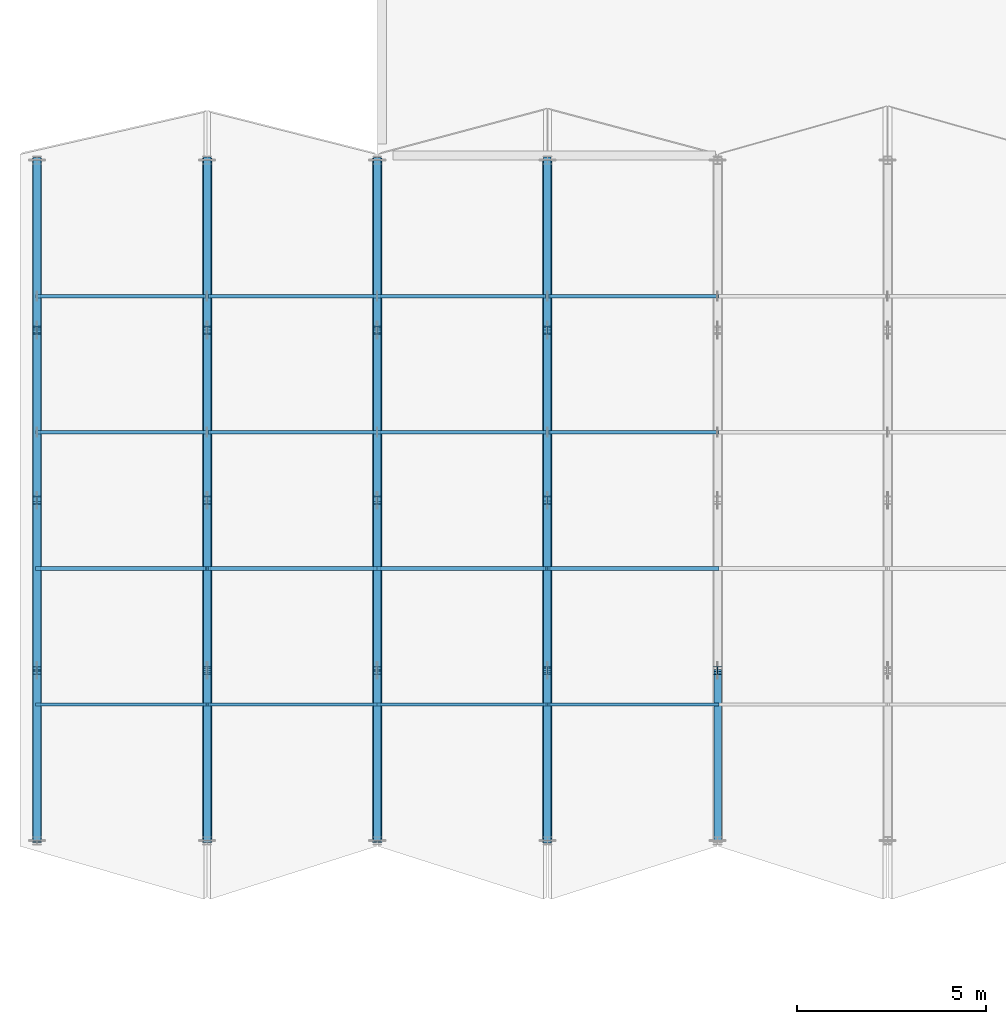
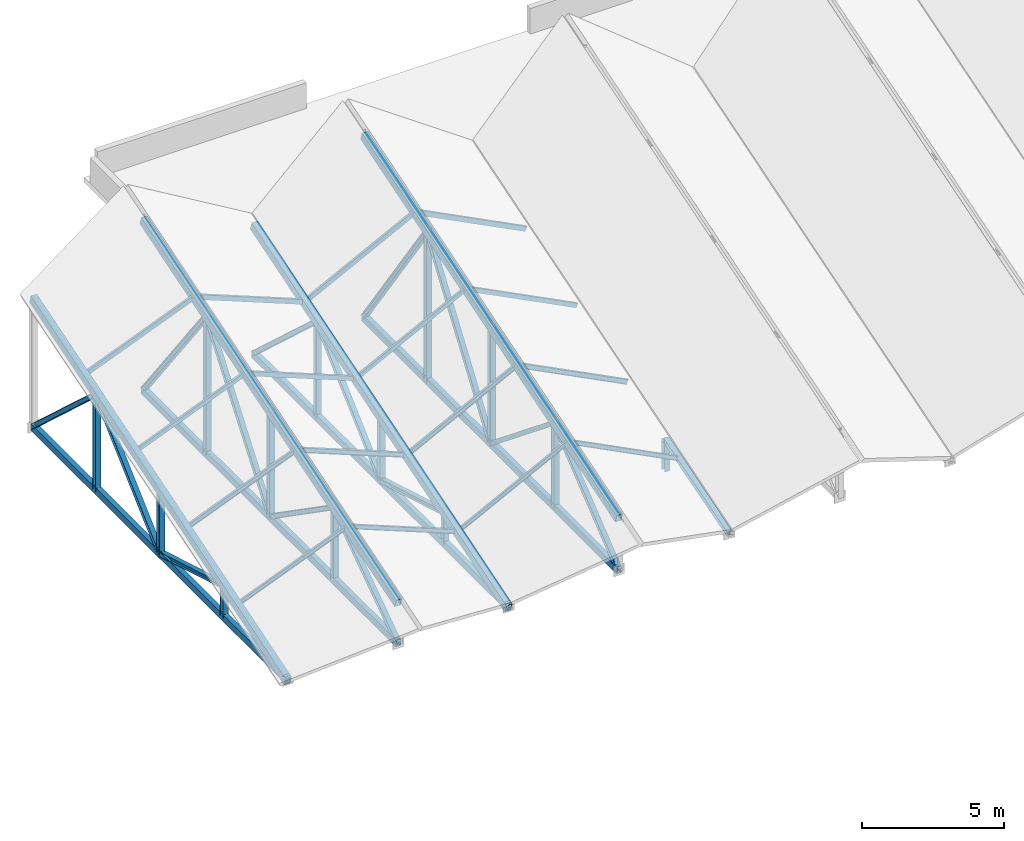
# One storey, part 62 of 142: 54 members.
"""IFC4 building model written with IfcOpenShell, lengths in metres."""

from ifc_helpers import new_model, si_unit, direction, frame, origin, origin_2d, place, context, subcontext, project, spatial, hollow_rectangle, i_section, extrude, material, material_profile, profile_set, type_object, element, save


model = new_model("IFC4")

# Units and contexts
model_context = context("Model", 3, precision=1e-05, world=origin(), true_north=direction((0.0, 1.0)))
body_context = subcontext(model_context, "Body", "Model", "MODEL_VIEW")
ifc_project = project(units=[si_unit("LENGTHUNIT", "METRE"), si_unit("AREAUNIT", "SQUARE_METRE"), si_unit("VOLUMEUNIT", "CUBIC_METRE"), si_unit("PLANEANGLEUNIT", "RADIAN"), si_unit("MASSUNIT", "GRAM", prefix="KILO")], contexts=[model_context])

# Site, building, storey
site_placement = place(None, origin())
site = spatial("IfcSite", under=ifc_project, at=site_placement, CompositionType="ELEMENT")
building_placement = place(site_placement, origin())
building = spatial("IfcBuilding", under=site, at=building_placement, Name="Montelvaro Courts of Justice", CompositionType="ELEMENT")
storey_placement = place(building_placement, frame((0.0, 0.0, 14.39990234375)))
storey = spatial("IfcBuildingStorey", under=building, at=storey_placement, Name="L03", CompositionType="ELEMENT", Elevation=14.39990234375)

# Members
ifc_material = material(Name="Steel S355", Category="steel")
ifc_material_profile_1 = material_profile(ifc_material, i_section(OverallWidth=0.199951171875, OverallDepth=0.18994140625, WebThickness=0.006591796875, FlangeThickness=0.010009765625, at=origin_2d()), Name="HEA 200")
ifc_profile_set_1 = profile_set([ifc_material_profile_1], Name="Steel S355")
member_type_1 = type_object("IfcMemberType", Name="Mem_HEA200_Brace", PredefinedType="BRACE", material=ifc_profile_set_1)
for number, where, z_axis, x_axis, name in (
    (1, (18.0, 78.0, -0.2998046875), (0.0, 0.959000997748, 0.283402692857), (-1.0, 0.0, 0.0), "Roof Truss Web MB-02 ROOF-V1-VTR01-W1"),
    (2, (18.0, 82.5, 1.030029296875), (0.0, 0.959000997748, -0.283402692857), (-1.0, 0.0, 0.0), "Roof Truss Web MB-02 ROOF-V1-VTR01-W2"),
):
    element("IfcMember", number, at=place(storey_placement, frame(where, z_axis=z_axis, x_axis=x_axis)), inside=storey, type_object=member_type_1, Name=name, PredefinedType="BRACE", context=body_context, shape_type="SweptSolid", body=[
        extrude(i_section(OverallWidth=0.199951171875, OverallDepth=0.18994140625, WebThickness=0.006591796875, FlangeThickness=0.010009765625, at=origin_2d()), origin(), (0.0, 0.0, 1.0), 4.6923828125),
    ])
for number, where, z_axis, x_axis, name in (
    (3, (18.0, 87.0, -0.2998046875), (0.0, 0.736755804956, 0.676158919089), (-1.0, 0.0, 0.0), "Roof Truss Web MB-02 ROOF-V1-VTR01-W3"),
    (4, (18.0, 91.5, 3.830078125), (0.0, 0.736755804956, -0.676158919089), (-1.0, 0.0, 0.0), "Roof Truss Web MB-02 ROOF-V1-VTR01-W4"),
):
    element("IfcMember", number, at=place(storey_placement, frame(where, z_axis=z_axis, x_axis=x_axis)), inside=storey, type_object=member_type_1, Name=name, PredefinedType="BRACE", context=body_context, shape_type="SweptSolid", body=[
        extrude(i_section(OverallWidth=0.199951171875, OverallDepth=0.18994140625, WebThickness=0.006591796875, FlangeThickness=0.010009765625, at=origin_2d()), origin(), (0.0, 0.0, 1.0), 6.10791015625),
    ])
for number, where, z_axis, x_axis, name in (
    (5, (27.0, 78.0, -0.2998046875), (0.0, 0.959000997748, 0.283402692857), (-1.0, 0.0, 0.0), "Roof Truss Web MB-02 ROOF-V1-VTR02-W1"),
    (6, (27.0, 82.5, 1.030029296875), (0.0, 0.959000997748, -0.283402692857), (-1.0, 0.0, 0.0), "Roof Truss Web MB-02 ROOF-V1-VTR02-W2"),
):
    element("IfcMember", number, at=place(storey_placement, frame(where, z_axis=z_axis, x_axis=x_axis)), inside=storey, type_object=member_type_1, Name=name, PredefinedType="BRACE", context=body_context, shape_type="SweptSolid", body=[
        extrude(i_section(OverallWidth=0.199951171875, OverallDepth=0.18994140625, WebThickness=0.006591796875, FlangeThickness=0.010009765625, at=origin_2d()), origin(), (0.0, 0.0, 1.0), 4.6923828125),
    ])
for number, where, z_axis, x_axis, name in (
    (7, (27.0, 87.0, -0.2998046875), (0.0, 0.736755804956, 0.676158919089), (-1.0, 0.0, 0.0), "Roof Truss Web MB-02 ROOF-V1-VTR02-W3"),
    (8, (27.0, 91.5, 3.830078125), (0.0, 0.736755804956, -0.676158919089), (-1.0, 0.0, 0.0), "Roof Truss Web MB-02 ROOF-V1-VTR02-W4"),
):
    element("IfcMember", number, at=place(storey_placement, frame(where, z_axis=z_axis, x_axis=x_axis)), inside=storey, type_object=member_type_1, Name=name, PredefinedType="BRACE", context=body_context, shape_type="SweptSolid", body=[
        extrude(i_section(OverallWidth=0.199951171875, OverallDepth=0.18994140625, WebThickness=0.006591796875, FlangeThickness=0.010009765625, at=origin_2d()), origin(), (0.0, 0.0, 1.0), 6.10791015625),
    ])
member_1_placement = place(storey_placement, frame((36.0, 78.0, -0.2998046875), z_axis=(0.0, 0.959000997748, 0.283402692857), x_axis=(-1.0, 0.0, 0.0)))
element("IfcMember", 9, at=member_1_placement, inside=storey, type_object=member_type_1, Name="Roof Truss Web MB-02 ROOF-V1-VTR03-W1", PredefinedType="BRACE", context=body_context, shape_type="SweptSolid", body=[
    extrude(i_section(OverallWidth=0.199951171875, OverallDepth=0.18994140625, WebThickness=0.006591796875, FlangeThickness=0.010009765625, at=origin_2d()), origin(), (0.0, 0.0, 1.0), 4.6923828125),
])
for number, where, z_axis, x_axis, name in (
    (10, (22.5, 78.0, -0.2998046875), (0.0, 0.820952405197, 0.570996627312), (-1.0, 0.0, 0.0), "Roof Truss Web MB-02 ROOF-V1-RTR01-W1"),
    (11, (22.5, 82.5, 2.830078125), (0.0, 0.820952405197, -0.570996627312), (-1.0, 0.0, 0.0), "Roof Truss Web MB-02 ROOF-V1-RTR01-W2"),
):
    element("IfcMember", number, at=place(storey_placement, frame(where, z_axis=z_axis, x_axis=x_axis)), inside=storey, type_object=member_type_1, Name=name, PredefinedType="BRACE", context=body_context, shape_type="SweptSolid", body=[
        extrude(i_section(OverallWidth=0.199951171875, OverallDepth=0.18994140625, WebThickness=0.006591796875, FlangeThickness=0.010009765625, at=origin_2d()), origin(), (0.0, 0.0, 1.0), 5.4814453125),
    ])
for number, where, z_axis, x_axis, name in (
    (12, (22.5, 87.0, -0.2998046875), (0.0, 0.604508502706, 0.796598688272), (-1.0, 0.0, 0.0), "Roof Truss Web MB-02 ROOF-V1-RTR01-W3"),
    (13, (22.5, 91.5, 5.630126953125), (0.0, 0.604508502706, -0.796598688272), (-1.0, 0.0, 0.0), "Roof Truss Web MB-02 ROOF-V1-RTR01-W4"),
):
    element("IfcMember", number, at=place(storey_placement, frame(where, z_axis=z_axis, x_axis=x_axis)), inside=storey, type_object=member_type_1, Name=name, PredefinedType="BRACE", context=body_context, shape_type="SweptSolid", body=[
        extrude(i_section(OverallWidth=0.199951171875, OverallDepth=0.18994140625, WebThickness=0.006591796875, FlangeThickness=0.010009765625, at=origin_2d()), origin(), (0.0, 0.0, 1.0), 7.444091796875),
    ])
for number, where, z_axis, x_axis, name in (
    (14, (31.5, 78.0, -0.2998046875), (0.0, 0.778341146089, 0.627841588544), (-1.0, 0.0, 0.0), "Roof Truss Web MB-02 ROOF-V1-RTR02-W1"),
    (15, (31.5, 82.5, 3.330078125), (0.0, 0.778341146089, -0.627841588544), (-1.0, 0.0, 0.0), "Roof Truss Web MB-02 ROOF-V1-RTR02-W2"),
):
    element("IfcMember", number, at=place(storey_placement, frame(where, z_axis=z_axis, x_axis=x_axis)), inside=storey, type_object=member_type_1, Name=name, PredefinedType="BRACE", context=body_context, shape_type="SweptSolid", body=[
        extrude(i_section(OverallWidth=0.199951171875, OverallDepth=0.18994140625, WebThickness=0.006591796875, FlangeThickness=0.010009765625, at=origin_2d()), origin(), (0.0, 0.0, 1.0), 5.781494140625),
    ])
for number, where, z_axis, x_axis, name in (
    (16, (31.5, 87.0, -0.2998046875), (0.0, 0.573380918154, 0.819288912837), (-1.0, 0.0, 0.0), "Roof Truss Web MB-02 ROOF-V1-RTR02-W3"),
    (17, (31.5, 91.5, 6.130126953125), (0.0, 0.573380918154, -0.819288912837), (-1.0, 0.0, 0.0), "Roof Truss Web MB-02 ROOF-V1-RTR02-W4"),
):
    element("IfcMember", number, at=place(storey_placement, frame(where, z_axis=z_axis, x_axis=x_axis)), inside=storey, type_object=member_type_1, Name=name, PredefinedType="BRACE", context=body_context, shape_type="SweptSolid", body=[
        extrude(i_section(OverallWidth=0.199951171875, OverallDepth=0.18994140625, WebThickness=0.006591796875, FlangeThickness=0.010009765625, at=origin_2d()), origin(), (0.0, 0.0, 1.0), 7.84814453125),
    ])
ifc_material_profile_2 = material_profile(ifc_material, i_section(OverallWidth=0.219970703125, OverallDepth=0.2099609375, WebThickness=0.007080078125, FlangeThickness=0.010986328125, at=origin_2d()), Name="HEA 220")
ifc_profile_set_2 = profile_set([ifc_material_profile_2], Name="Steel S355")
member_type_2 = type_object("IfcMemberType", Name="Mem_HEA220_Post", PredefinedType="POST", material=ifc_profile_set_2)
member_2_placement = place(storey_placement, frame((18.0, 82.5, -0.2998046875), z_axis=(0.0, 0.0, 1.0), x_axis=(1.0, 0.0, 0.0)))
element("IfcMember", 18, at=member_2_placement, inside=storey, type_object=member_type_2, Name="Roof Truss Post MP-03 ROOF-V1-VTR01-V1", PredefinedType="POST", context=body_context, shape_type="SweptSolid", body=[
    extrude(i_section(OverallWidth=0.219970703125, OverallDepth=0.2099609375, WebThickness=0.007080078125, FlangeThickness=0.010986328125, at=origin_2d()), origin(), (0.0, 0.0, 1.0), 1.329833984375),
])
member_3_placement = place(storey_placement, frame((18.0, 87.0, -0.2998046875), z_axis=(0.0, 0.0, 1.0), x_axis=(1.0, 0.0, 0.0)))
element("IfcMember", 19, at=member_3_placement, inside=storey, type_object=member_type_2, Name="Roof Truss Post MP-03 ROOF-V1-VTR01-V2", PredefinedType="POST", context=body_context, shape_type="SweptSolid", body=[
    extrude(i_section(OverallWidth=0.219970703125, OverallDepth=0.2099609375, WebThickness=0.007080078125, FlangeThickness=0.010986328125, at=origin_2d()), origin(), (0.0, 0.0, 1.0), 2.72998046875),
])
member_4_placement = place(storey_placement, frame((18.0, 91.5, -0.2998046875), z_axis=(0.0, 0.0, 1.0), x_axis=(1.0, 0.0, 0.0)))
element("IfcMember", 20, at=member_4_placement, inside=storey, type_object=member_type_2, Name="Roof Truss Post MP-03 ROOF-V1-VTR01-V3", PredefinedType="POST", context=body_context, shape_type="SweptSolid", body=[
    extrude(i_section(OverallWidth=0.219970703125, OverallDepth=0.2099609375, WebThickness=0.007080078125, FlangeThickness=0.010986328125, at=origin_2d()), origin(), (0.0, 0.0, 1.0), 4.1298828125),
])
member_5_placement = place(storey_placement, frame((27.0, 82.5, -0.2998046875), z_axis=(0.0, 0.0, 1.0), x_axis=(1.0, 0.0, 0.0)))
element("IfcMember", 21, at=member_5_placement, inside=storey, type_object=member_type_2, Name="Roof Truss Post MP-03 ROOF-V1-VTR02-V1", PredefinedType="POST", context=body_context, shape_type="SweptSolid", body=[
    extrude(i_section(OverallWidth=0.219970703125, OverallDepth=0.2099609375, WebThickness=0.007080078125, FlangeThickness=0.010986328125, at=origin_2d()), origin(), (0.0, 0.0, 1.0), 1.329833984375),
])
member_6_placement = place(storey_placement, frame((27.0, 87.0, -0.2998046875), z_axis=(0.0, 0.0, 1.0), x_axis=(1.0, 0.0, 0.0)))
element("IfcMember", 22, at=member_6_placement, inside=storey, type_object=member_type_2, Name="Roof Truss Post MP-03 ROOF-V1-VTR02-V2", PredefinedType="POST", context=body_context, shape_type="SweptSolid", body=[
    extrude(i_section(OverallWidth=0.219970703125, OverallDepth=0.2099609375, WebThickness=0.007080078125, FlangeThickness=0.010986328125, at=origin_2d()), origin(), (0.0, 0.0, 1.0), 2.72998046875),
])
member_7_placement = place(storey_placement, frame((27.0, 91.5, -0.2998046875), z_axis=(0.0, 0.0, 1.0), x_axis=(1.0, 0.0, 0.0)))
element("IfcMember", 23, at=member_7_placement, inside=storey, type_object=member_type_2, Name="Roof Truss Post MP-03 ROOF-V1-VTR02-V3", PredefinedType="POST", context=body_context, shape_type="SweptSolid", body=[
    extrude(i_section(OverallWidth=0.219970703125, OverallDepth=0.2099609375, WebThickness=0.007080078125, FlangeThickness=0.010986328125, at=origin_2d()), origin(), (0.0, 0.0, 1.0), 4.1298828125),
])
member_8_placement = place(storey_placement, frame((36.0, 82.5, -0.2998046875), z_axis=(0.0, 0.0, 1.0), x_axis=(1.0, 0.0, 0.0)))
element("IfcMember", 24, at=member_8_placement, inside=storey, type_object=member_type_2, Name="Roof Truss Post MP-03 ROOF-V1-VTR03-V1", PredefinedType="POST", context=body_context, shape_type="SweptSolid", body=[
    extrude(i_section(OverallWidth=0.219970703125, OverallDepth=0.2099609375, WebThickness=0.007080078125, FlangeThickness=0.010986328125, at=origin_2d()), origin(), (0.0, 0.0, 1.0), 1.329833984375),
])
member_9_placement = place(storey_placement, frame((22.5, 82.5, -0.2998046875), z_axis=(0.0, 0.0, 1.0), x_axis=(1.0, 0.0, 0.0)))
element("IfcMember", 25, at=member_9_placement, inside=storey, type_object=member_type_2, Name="Roof Truss Post MP-03 ROOF-V1-RTR01-V1", PredefinedType="POST", context=body_context, shape_type="SweptSolid", body=[
    extrude(i_section(OverallWidth=0.219970703125, OverallDepth=0.2099609375, WebThickness=0.007080078125, FlangeThickness=0.010986328125, at=origin_2d()), origin(), (0.0, 0.0, 1.0), 3.1298828125),
])
member_10_placement = place(storey_placement, frame((22.5, 87.0, -0.2998046875), z_axis=(0.0, 0.0, 1.0), x_axis=(1.0, 0.0, 0.0)))
element("IfcMember", 26, at=member_10_placement, inside=storey, type_object=member_type_2, Name="Roof Truss Post MP-03 ROOF-V1-RTR01-V2", PredefinedType="POST", context=body_context, shape_type="SweptSolid", body=[
    extrude(i_section(OverallWidth=0.219970703125, OverallDepth=0.2099609375, WebThickness=0.007080078125, FlangeThickness=0.010986328125, at=origin_2d()), origin(), (0.0, 0.0, 1.0), 4.52978515625),
])
member_11_placement = place(storey_placement, frame((22.5, 91.5, -0.2998046875), z_axis=(0.0, 0.0, 1.0), x_axis=(1.0, 0.0, 0.0)))
element("IfcMember", 27, at=member_11_placement, inside=storey, type_object=member_type_2, Name="Roof Truss Post MP-03 ROOF-V1-RTR01-V3", PredefinedType="POST", context=body_context, shape_type="SweptSolid", body=[
    extrude(i_section(OverallWidth=0.219970703125, OverallDepth=0.2099609375, WebThickness=0.007080078125, FlangeThickness=0.010986328125, at=origin_2d()), origin(), (0.0, 0.0, 1.0), 5.929931640625),
])
member_12_placement = place(storey_placement, frame((31.5, 82.5, -0.2998046875), z_axis=(0.0, 0.0, 1.0), x_axis=(1.0, 0.0, 0.0)))
element("IfcMember", 28, at=member_12_placement, inside=storey, type_object=member_type_2, Name="Roof Truss Post MP-03 ROOF-V1-RTR02-V1", PredefinedType="POST", context=body_context, shape_type="SweptSolid", body=[
    extrude(i_section(OverallWidth=0.219970703125, OverallDepth=0.2099609375, WebThickness=0.007080078125, FlangeThickness=0.010986328125, at=origin_2d()), origin(), (0.0, 0.0, 1.0), 3.6298828125),
])
member_13_placement = place(storey_placement, frame((31.5, 87.0, -0.2998046875), z_axis=(0.0, 0.0, 1.0), x_axis=(1.0, 0.0, 0.0)))
element("IfcMember", 29, at=member_13_placement, inside=storey, type_object=member_type_2, Name="Roof Truss Post MP-03 ROOF-V1-RTR02-V2", PredefinedType="POST", context=body_context, shape_type="SweptSolid", body=[
    extrude(i_section(OverallWidth=0.219970703125, OverallDepth=0.2099609375, WebThickness=0.007080078125, FlangeThickness=0.010986328125, at=origin_2d()), origin(), (0.0, 0.0, 1.0), 5.02978515625),
])
member_14_placement = place(storey_placement, frame((31.5, 91.5, -0.2998046875), z_axis=(0.0, 0.0, 1.0), x_axis=(1.0, 0.0, 0.0)))
element("IfcMember", 30, at=member_14_placement, inside=storey, type_object=member_type_2, Name="Roof Truss Post MP-03 ROOF-V1-RTR02-V3", PredefinedType="POST", context=body_context, shape_type="SweptSolid", body=[
    extrude(i_section(OverallWidth=0.219970703125, OverallDepth=0.2099609375, WebThickness=0.007080078125, FlangeThickness=0.010986328125, at=origin_2d()), origin(), (0.0, 0.0, 1.0), 6.429931640625),
])
ifc_material_profile_3 = material_profile(ifc_material, i_section(OverallWidth=0.091064453125, OverallDepth=0.179931640625, WebThickness=0.00537109375, FlangeThickness=0.008056640625, at=origin_2d()), Name="IPE 180")
ifc_profile_set_3 = profile_set([ifc_material_profile_3], Name="Steel S355")
member_type_3 = type_object("IfcMemberType", Name="Mem_IPE180_Purlin", PredefinedType="PURLIN", material=ifc_profile_set_3)
for number, where, z_axis, x_axis, name in (
    (31, (18.0, 81.60009765625, 0.75), (0.928473216852, 0.0, 0.37139936132), (0.0, 1.0, 0.0), "Roof Purlin MR-01 ROOF-V1-PRL-01-1L"),
    (32, (22.5, 81.60009765625, 2.550048828125), (0.928473216852, 0.0, -0.37139936132), (0.0, 1.0, 0.0), "Roof Purlin MR-01 ROOF-V1-PRL-01-1R"),
):
    element("IfcMember", number, at=place(storey_placement, frame(where, z_axis=z_axis, x_axis=x_axis)), inside=storey, type_object=member_type_3, Name=name, PredefinedType="PURLIN", context=body_context, shape_type="SweptSolid", body=[
        extrude(i_section(OverallWidth=0.091064453125, OverallDepth=0.179931640625, WebThickness=0.00537109375, FlangeThickness=0.008056640625, at=origin_2d()), origin(), (0.0, 0.0, 1.0), 4.8466796875),
    ])
for number, where, z_axis, x_axis, name in (
    (33, (27.0, 81.60009765625, 0.75), (0.890430766754, 0.0, 0.455118720355), (0.0, 1.0, 0.0), "Roof Purlin MR-01 ROOF-V1-PRL-02-1L"),
    (34, (31.5, 81.60009765625, 3.050048828125), (0.890430766754, 0.0, -0.455118720355), (0.0, 1.0, 0.0), "Roof Purlin MR-01 ROOF-V1-PRL-02-1R"),
):
    element("IfcMember", number, at=place(storey_placement, frame(where, z_axis=z_axis, x_axis=x_axis)), inside=storey, type_object=member_type_3, Name=name, PredefinedType="PURLIN", context=body_context, shape_type="SweptSolid", body=[
        extrude(i_section(OverallWidth=0.091064453125, OverallDepth=0.179931640625, WebThickness=0.00537109375, FlangeThickness=0.008056640625, at=origin_2d()), origin(), (0.0, 0.0, 1.0), 5.0537109375),
    ])
ifc_material_profile_4 = material_profile(ifc_material, i_section(OverallWidth=0.10009765625, OverallDepth=0.199951171875, WebThickness=0.005615234375, FlangeThickness=0.008544921875, at=origin_2d()), Name="IPE 200")
ifc_profile_set_4 = profile_set([ifc_material_profile_4], Name="Steel S355")
member_type_4 = type_object("IfcMemberType", Name="Mem_IPE200_Purlin", PredefinedType="PURLIN", material=ifc_profile_set_4)
for number, where, z_axis, x_axis, name in (
    (35, (18.0, 85.199951171875, 1.8701171875), (0.928473216852, 0.0, 0.37139936132), (0.0, 1.0, 0.0), "Roof Purlin MR-02 ROOF-V1-PRL-01-2L"),
    (36, (22.5, 85.199951171875, 3.670166015625), (0.928473216852, 0.0, -0.37139936132), (0.0, 1.0, 0.0), "Roof Purlin MR-02 ROOF-V1-PRL-01-2R"),
):
    element("IfcMember", number, at=place(storey_placement, frame(where, z_axis=z_axis, x_axis=x_axis)), inside=storey, type_object=member_type_4, Name=name, PredefinedType="PURLIN", context=body_context, shape_type="SweptSolid", body=[
        extrude(i_section(OverallWidth=0.10009765625, OverallDepth=0.199951171875, WebThickness=0.005615234375, FlangeThickness=0.008544921875, at=origin_2d()), origin(), (0.0, 0.0, 1.0), 4.8466796875),
    ])
for number, where, z_axis, x_axis, name in (
    (37, (27.0, 85.199951171875, 1.8701171875), (0.890430766754, 0.0, 0.455118720355), (0.0, 1.0, 0.0), "Roof Purlin MR-02 ROOF-V1-PRL-02-2L"),
    (38, (31.5, 85.199951171875, 4.170166015625), (0.890430766754, 0.0, -0.455118720355), (0.0, 1.0, 0.0), "Roof Purlin MR-02 ROOF-V1-PRL-02-2R"),
):
    element("IfcMember", number, at=place(storey_placement, frame(where, z_axis=z_axis, x_axis=x_axis)), inside=storey, type_object=member_type_4, Name=name, PredefinedType="PURLIN", context=body_context, shape_type="SweptSolid", body=[
        extrude(i_section(OverallWidth=0.10009765625, OverallDepth=0.199951171875, WebThickness=0.005615234375, FlangeThickness=0.008544921875, at=origin_2d()), origin(), (0.0, 0.0, 1.0), 5.0537109375),
    ])
ifc_material_profile_5 = material_profile(ifc_material, hollow_rectangle(XDim=0.10009765625, YDim=0.179931640625, WallThickness=0.008056640625, at=origin_2d()), Name="RHS 180x100x8")
ifc_profile_set_5 = profile_set([ifc_material_profile_5], Name="Steel S355")
member_type_5 = type_object("IfcMemberType", Name="Mem_RHS180_Purlin", PredefinedType="PURLIN", material=ifc_profile_set_5)
for number, where, z_axis, x_axis, name in (
    (39, (18.0, 88.800048828125, 2.989990234375), (0.928473216852, 0.0, 0.37139936132), (0.0, 1.0, 0.0), "Roof Purlin MR-03 ROOF-V1-PRL-01-3L"),
    (40, (22.5, 88.800048828125, 4.7900390625), (0.928473216852, 0.0, -0.37139936132), (0.0, 1.0, 0.0), "Roof Purlin MR-03 ROOF-V1-PRL-01-3R"),
):
    element("IfcMember", number, at=place(storey_placement, frame(where, z_axis=z_axis, x_axis=x_axis)), inside=storey, type_object=member_type_5, Name=name, PredefinedType="PURLIN", context=body_context, shape_type="SweptSolid", body=[
        extrude(hollow_rectangle(XDim=0.10009765625, YDim=0.179931640625, WallThickness=0.008056640625, at=origin_2d()), origin(), (0.0, 0.0, 1.0), 4.8466796875),
    ])
for number, where, z_axis, x_axis, name in (
    (41, (27.0, 88.800048828125, 2.989990234375), (0.890430766754, 0.0, 0.455118720355), (0.0, 1.0, 0.0), "Roof Purlin MR-03 ROOF-V1-PRL-02-3L"),
    (42, (31.5, 88.800048828125, 5.2900390625), (0.890430766754, 0.0, -0.455118720355), (0.0, 1.0, 0.0), "Roof Purlin MR-03 ROOF-V1-PRL-02-3R"),
):
    element("IfcMember", number, at=place(storey_placement, frame(where, z_axis=z_axis, x_axis=x_axis)), inside=storey, type_object=member_type_5, Name=name, PredefinedType="PURLIN", context=body_context, shape_type="SweptSolid", body=[
        extrude(hollow_rectangle(XDim=0.10009765625, YDim=0.179931640625, WallThickness=0.008056640625, at=origin_2d()), origin(), (0.0, 0.0, 1.0), 5.0537109375),
    ])
ifc_material_profile_6 = material_profile(ifc_material, hollow_rectangle(XDim=0.10009765625, YDim=0.199951171875, WallThickness=0.008056640625, at=origin_2d()), Name="RHS 200x100x8")
ifc_profile_set_6 = profile_set([ifc_material_profile_6], Name="Steel S355")
member_type_6 = type_object("IfcMemberType", Name="Mem_RHS200_Purlin", PredefinedType="PURLIN", material=ifc_profile_set_6)
for number, where, z_axis, x_axis, name in (
    (43, (18.0, 92.39990234375, 4.110107421875), (0.928473216852, 0.0, 0.37139936132), (0.0, 1.0, 0.0), "Roof Purlin MR-04 ROOF-V1-PRL-01-4L"),
    (44, (22.5, 92.39990234375, 5.91015625), (0.928473216852, 0.0, -0.37139936132), (0.0, 1.0, 0.0), "Roof Purlin MR-04 ROOF-V1-PRL-01-4R"),
):
    element("IfcMember", number, at=place(storey_placement, frame(where, z_axis=z_axis, x_axis=x_axis)), inside=storey, type_object=member_type_6, Name=name, PredefinedType="PURLIN", context=body_context, shape_type="SweptSolid", body=[
        extrude(hollow_rectangle(XDim=0.10009765625, YDim=0.199951171875, WallThickness=0.008056640625, at=origin_2d()), origin(), (0.0, 0.0, 1.0), 4.8466796875),
    ])
for number, where, z_axis, x_axis, name in (
    (45, (27.0, 92.39990234375, 4.110107421875), (0.890430766754, 0.0, 0.455118720355), (0.0, 1.0, 0.0), "Roof Purlin MR-04 ROOF-V1-PRL-02-4L"),
    (46, (31.5, 92.39990234375, 6.41015625), (0.890430766754, 0.0, -0.455118720355), (0.0, 1.0, 0.0), "Roof Purlin MR-04 ROOF-V1-PRL-02-4R"),
):
    element("IfcMember", number, at=place(storey_placement, frame(where, z_axis=z_axis, x_axis=x_axis)), inside=storey, type_object=member_type_6, Name=name, PredefinedType="PURLIN", context=body_context, shape_type="SweptSolid", body=[
        extrude(hollow_rectangle(XDim=0.10009765625, YDim=0.199951171875, WallThickness=0.008056640625, at=origin_2d()), origin(), (0.0, 0.0, 1.0), 5.0537109375),
    ])
ifc_material_profile_7 = material_profile(ifc_material, hollow_rectangle(XDim=0.199951171875, YDim=0.300048828125, WallThickness=0.012451171875, at=origin_2d()), Name="RHS 300x200x12.5")
ifc_profile_set_7 = profile_set([ifc_material_profile_7], Name="Steel S355")
member_type_7 = type_object("IfcMemberType", Name="Mem_RHS300_Chord", PredefinedType="CHORD", material=ifc_profile_set_7)
for number, where, z_axis, x_axis, name in (
    (47, (18.0, 78.0, -0.2998046875), (0.0, 1.0, 0.0), (-1.0, 0.0, 0.0), "Roof Truss ROOF-V1-VTR01 Bottom Chord"),
    (48, (27.0, 78.0, -0.2998046875), (0.0, 1.0, 0.0), (-1.0, 0.0, 0.0), "Roof Truss ROOF-V1-VTR02 Bottom Chord"),
    (49, (22.5, 78.0, -0.2998046875), (0.0, 1.0, 0.0), (-1.0, 0.0, 0.0), "Roof Truss ROOF-V1-RTR01 Bottom Chord"),
    (50, (31.5, 78.0, -0.2998046875), (0.0, 1.0, 0.0), (-1.0, 0.0, 0.0), "Roof Truss ROOF-V1-RTR02 Bottom Chord"),
):
    element("IfcMember", number, at=place(storey_placement, frame(where, z_axis=z_axis, x_axis=x_axis)), inside=storey, type_object=member_type_7, Name=name, PredefinedType="CHORD", context=body_context, shape_type="SweptSolid", body=[
        extrude(hollow_rectangle(XDim=0.199951171875, YDim=0.300048828125, WallThickness=0.012451171875, at=origin_2d()), origin(), (0.0, 0.0, 1.0), 18.0),
    ])
ifc_material_profile_8 = material_profile(ifc_material, hollow_rectangle(XDim=0.25, YDim=0.35009765625, WallThickness=0.012451171875, at=origin_2d()), Name="RHS 350x250x12.5")
ifc_profile_set_8 = profile_set([ifc_material_profile_8], Name="Steel S355")
member_type_8 = type_object("IfcMemberType", Name="Mem_RHS350_Chord", PredefinedType="CHORD", material=ifc_profile_set_8)
for number, where, z_axis, x_axis, name in (
    (51, (18.0, 78.0, -0.369873046875), (0.0, 0.9548589805, 0.297059467715), (-1.0, 0.0, 0.0), "Roof Truss ROOF-V1-VTR01 Top Chord"),
    (52, (27.0, 78.0, -0.369873046875), (0.0, 0.9548589805, 0.297059467715), (-1.0, 0.0, 0.0), "Roof Truss ROOF-V1-VTR02 Top Chord"),
    (53, (22.5, 78.0, 1.43017578125), (0.0, 0.9548589805, 0.297059467715), (-1.0, 0.0, 0.0), "Roof Truss ROOF-V1-RTR01 Top Chord"),
    (54, (31.5, 78.0, 1.93017578125), (0.0, 0.9548589805, 0.297059467715), (-1.0, 0.0, 0.0), "Roof Truss ROOF-V1-RTR02 Top Chord"),
):
    element("IfcMember", number, at=place(storey_placement, frame(where, z_axis=z_axis, x_axis=x_axis)), inside=storey, type_object=member_type_8, Name=name, PredefinedType="CHORD", context=body_context, shape_type="SweptSolid", body=[
        extrude(hollow_rectangle(XDim=0.25, YDim=0.35009765625, WallThickness=0.012451171875, at=origin_2d()), origin(), (0.0, 0.0, 1.0), 18.850830078125),
    ])

save(model, "model.ifc")
